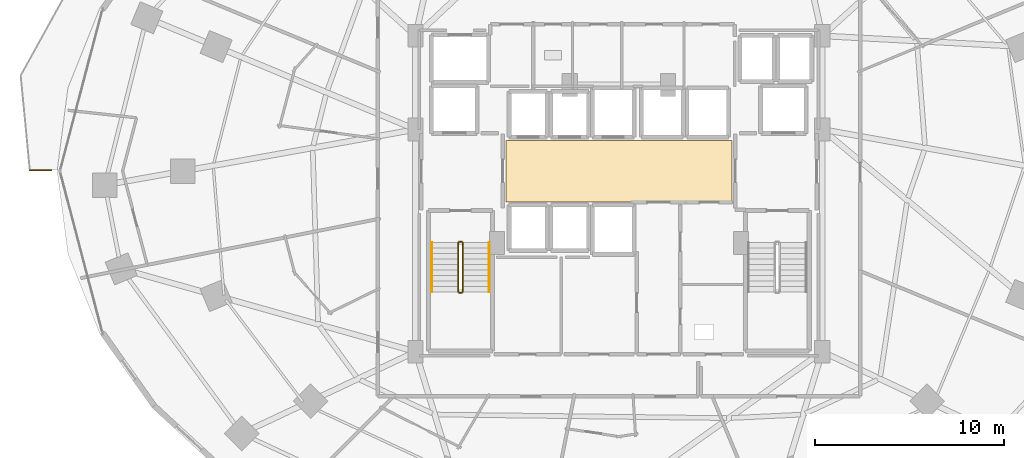
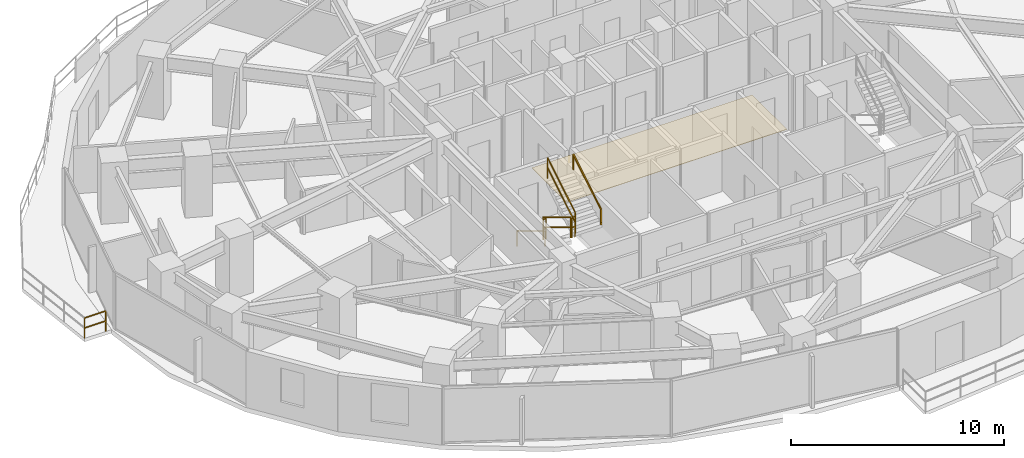
# One storey, part 32 of 35: 7 railings, 1 covering.
"""IFC4 building model written with IfcOpenShell, lengths in metres."""

import ifcopenshell
import ifcopenshell.guid

model = None  # the IFC model being written
_history = None  # IfcOwnerHistory: only IFC2X3 demands one
_inside = {}  # id of a spatial element -> (the spatial element, [elements in it])
_under = {}  # id of a project, library or spatial element -> (it, [spatial elements below it])
_declared = {}  # id of a project -> (the project, [libraries it declares])
_typed = {}  # id of a type object -> (the type object, [elements of that type])
_made_of = {}  # id of a material, layer set ... -> (it, [elements and type objects made of it])


def new_model(schema):
    """Start an empty IFC model of exactly this schema.

    Asked for "IFC4X3", IfcOpenShell would pick the latest addendum, in which some entities
    have other attributes; the version numbers below select the first issue.
    IFC2X3 requires an IfcOwnerHistory on every rooted entity: one is made here for all.
    """
    global model, _history
    if schema == "IFC4X3":
        model = ifcopenshell.file(schema_version=(4, 3, 0, 0))
    else:
        model = ifcopenshell.file(schema=schema)
    _inside.clear()
    _under.clear()
    _declared.clear()
    _typed.clear()
    _made_of.clear()
    _history = None
    if model.schema == "IFC2X3":
        org = make("IfcOrganization", Name="unknown")
        user = make(
            "IfcPersonAndOrganization",
            ThePerson=make("IfcPerson", FamilyName="unknown"),
            TheOrganization=org,
        )
        app = make(
            "IfcApplication",
            ApplicationDeveloper=org,
            Version="unknown",
            ApplicationFullName="unknown",
            ApplicationIdentifier="unknown",
        )
        _history = make(
            "IfcOwnerHistory",
            OwningUser=user,
            OwningApplication=app,
            ChangeAction="ADDED",
            CreationDate=0,
        )
    return model


def make(cls, **values):
    """One entity of the class cls with the attributes given. An attribute that is None is left unset."""
    return model.create_entity(
        cls, **{name: value for name, value in values.items() if value is not None}
    )


def rooted(cls, **values):
    """An entity with a GlobalId (a new one), such as an element, a storey or a relation."""
    return make(cls, GlobalId=ifcopenshell.guid.new(), OwnerHistory=_history, **values)


def si_unit(unit_type, name, prefix=None):
    """IfcSIUnit, for example si_unit("LENGTHUNIT", "METRE", prefix="MILLI")."""
    return make("IfcSIUnit", UnitType=unit_type, Prefix=prefix, Name=name)


def assignment(units):
    """IfcUnitAssignment: the units of a project."""
    return None if units is None else make("IfcUnitAssignment", Units=units)


def point(xyz):
    """IfcCartesianPoint."""
    return None if xyz is None else make("IfcCartesianPoint", Coordinates=xyz)


def direction(xyz):
    """IfcDirection."""
    return None if xyz is None else make("IfcDirection", DirectionRatios=xyz)


def frame(location, z_axis=None, x_axis=None):
    """IfcAxis2Placement3D, a coordinate frame: its origin and axes. An axis left out is left unset."""
    return make(
        "IfcAxis2Placement3D",
        Location=point(location),
        Axis=direction(z_axis),
        RefDirection=direction(x_axis),
    )


def frame_2d(location, x_axis=None):
    """IfcAxis2Placement2D, a coordinate frame in the plane: its origin and x axis."""
    return make(
        "IfcAxis2Placement2D", Location=point(location), RefDirection=direction(x_axis)
    )


def origin():
    """The frame at (0, 0, 0) with its axes left unset."""
    return frame((0.0, 0.0, 0.0))


def origin_2d():
    """The frame at (0, 0) in the plane with its x axis left unset."""
    return frame_2d((0.0, 0.0))


def place(relative_to, where):
    """IfcLocalPlacement: puts the frame where relative to a parent placement (None: the world)."""
    return make(
        "IfcLocalPlacement", PlacementRelTo=relative_to, RelativePlacement=where
    )


def context(
    kind, dimensions, precision=None, world=None, true_north=None, identifier=None
):
    """IfcGeometricRepresentationContext, for example the 3D "Model" context."""
    return make(
        "IfcGeometricRepresentationContext",
        ContextIdentifier=identifier,
        ContextType=kind,
        CoordinateSpaceDimension=dimensions,
        Precision=precision,
        WorldCoordinateSystem=world,
        TrueNorth=true_north,
    )


def subcontext(parent, identifier, kind, view, scale=None):
    """IfcGeometricRepresentationSubContext, for example "Body" below "Model"."""
    return make(
        "IfcGeometricRepresentationSubContext",
        ContextIdentifier=identifier,
        ContextType=kind,
        ParentContext=parent,
        TargetScale=scale,
        TargetView=view,
    )


def project(units=None, contexts=None):
    """IfcProject with its units and contexts."""
    return rooted(
        "IfcProject",
        Name="project",
        RepresentationContexts=contexts,
        UnitsInContext=assignment(units),
    )


def spatial(cls, under=None, at=None, **own):
    """A site, building, storey or space (cls), placed at a placement, below another one or the project."""
    s = rooted(cls, ObjectPlacement=at, **own)
    if under is not None:
        _under.setdefault(under.id(), (under, []))[1].append(s)
    return s


def polyline(points):
    """IfcPolyline through the points."""
    return make("IfcPolyline", Points=[point(p) for p in points])


def profile(cls, at=None, kind="AREA", **sizes):
    """A parametric profile (cls). Its sizes go by their IFC names, for example OverallWidth=200.0."""
    return make(cls, ProfileType=kind, Position=at, **sizes)


def rectangle(**sizes):
    """IfcRectangleProfileDef."""
    return profile("IfcRectangleProfileDef", **sizes)


def outline(outer, holes=None, kind="AREA"):
    """IfcArbitraryClosedProfileDef: a profile drawn as a closed curve; with holes, ...WithVoids."""
    if holes is None:
        return make("IfcArbitraryClosedProfileDef", ProfileType=kind, OuterCurve=outer)
    return make(
        "IfcArbitraryProfileDefWithVoids",
        ProfileType=kind,
        OuterCurve=outer,
        InnerCurves=holes,
    )


def extrude(swept, where, along, depth):
    """IfcExtrudedAreaSolid: the profile swept, set in the frame where, extruded along a direction by depth."""
    return make(
        "IfcExtrudedAreaSolid",
        SweptArea=swept,
        Position=where,
        ExtrudedDirection=direction(along),
        Depth=depth,
    )


def shape(context_of_items, identifier, shape_type, items):
    """IfcShapeRepresentation: the items that make up one representation, for example the "Body"."""
    return make(
        "IfcShapeRepresentation",
        ContextOfItems=context_of_items,
        RepresentationIdentifier=identifier,
        RepresentationType=shape_type,
        Items=items,
    )


def material(Name=None, Category=None):
    """IfcMaterial."""
    return make("IfcMaterial", Name=Name, Category=Category)


def layer(
    of_material, thickness, ventilated=None, Name=None, Category=None, Priority=None
):
    """IfcMaterialLayer: one layer of a wall or slab, of a material (None: an air gap)."""
    return make(
        "IfcMaterialLayer",
        Material=of_material,
        LayerThickness=thickness,
        IsVentilated=ventilated,
        Name=Name,
        Category=Category,
        Priority=Priority,
    )


def layer_set(layers, Name=None):
    """IfcMaterialLayerSet."""
    return make("IfcMaterialLayerSet", MaterialLayers=layers, LayerSetName=Name)


def made_of(thing, what):
    """Note that an element or type object is made of a material, layer set ...; save() writes the relation."""
    if what is not None:
        _made_of.setdefault(what.id(), (what, []))[1].append(thing)
    return thing


def type_object(cls, material=None, **own):
    """A type object (cls), such as IfcWallType, which elements share."""
    return made_of(rooted(cls, **own), material)


def element(
    cls,
    number,
    at=None,
    inside=None,
    cuts=None,
    type_object=None,
    material=None,
    context=None,
    identifier="Body",
    shape_type=None,
    held_by="IfcProductDefinitionShape",
    body=None,
    shapes=None,
    **own,
):
    """One element of the class cls, such as IfcWall. Its Tag is "e" and its number.

    at: its placement. inside: the storey or other place that contains it. cuts: it is an
    opening in that element (IfcRelVoidsElement). A single representation is given by context,
    identifier, shape_type and body (its items); several are given by shapes. held_by: the class
    of the entity that holds the representations. save() writes the other relations.
    """
    e = rooted(cls, Tag="e%d" % number, ObjectPlacement=at, **own)
    if body is not None:
        shapes = [shape(context, identifier, shape_type, body)]
    if shapes is not None:
        e.Representation = make(held_by, Representations=shapes)
    if inside is not None:
        _inside.setdefault(inside.id(), (inside, []))[1].append(e)
    if cuts is not None:
        rooted(
            "IfcRelVoidsElement", RelatingBuildingElement=cuts, RelatedOpeningElement=e
        )
    if type_object is not None:
        _typed.setdefault(type_object.id(), (type_object, []))[1].append(e)
    return made_of(e, material)


def aggregate(whole, parts):
    """IfcRelAggregates: a whole, such as a stair, and the parts it consists of."""
    return rooted("IfcRelAggregates", RelatingObject=whole, RelatedObjects=parts)


def save(model, path):
    """Write the relations noted so far, then the file.

    IfcRelAggregates (storeys below a building ...), IfcRelContainedInSpatialStructure (elements
    in a storey), IfcRelDefinesByType, IfcRelAssociatesMaterial and IfcRelDeclares: one each for
    every whole, place, type object, material and project.
    """
    for whole, parts in _under.values():
        aggregate(whole, parts)
    for where, things in _inside.values():
        rooted(
            "IfcRelContainedInSpatialStructure",
            RelatedElements=things,
            RelatingStructure=where,
        )
    for kind, things in _typed.values():
        rooted("IfcRelDefinesByType", RelatedObjects=things, RelatingType=kind)
    for what, things in _made_of.values():
        rooted("IfcRelAssociatesMaterial", RelatedObjects=things, RelatingMaterial=what)
    for by, libraries in _declared.values():
        rooted("IfcRelDeclares", RelatingContext=by, RelatedDefinitions=libraries)
    model.write(path)


model = new_model("IFC4")

# Units and contexts
model_context = context("Model", 3, precision=1e-05, world=origin(), true_north=direction((0.0, 1.0)))
body_context = subcontext(model_context, "Body", "Model", "MODEL_VIEW")
ifc_project = project(units=[si_unit("LENGTHUNIT", "METRE"), si_unit("AREAUNIT", "SQUARE_METRE"), si_unit("VOLUMEUNIT", "CUBIC_METRE"), si_unit("PLANEANGLEUNIT", "RADIAN"), si_unit("MASSUNIT", "GRAM", prefix="KILO")], contexts=[model_context])

# Site, building, storey
site_placement = place(None, origin())
site = spatial("IfcSite", under=ifc_project, at=site_placement, CompositionType="ELEMENT")
building_placement = place(site_placement, origin())
building = spatial("IfcBuilding", under=site, at=building_placement, Name="Vorneva Point Tower", CompositionType="ELEMENT")
storey_placement = place(building_placement, frame((0.0, 0.0, 45.0)))
storey = spatial("IfcBuildingStorey", under=building, at=storey_placement, Name="L11", CompositionType="ELEMENT", Elevation=45.0)

# Covering
ifc_material_1 = material(Name="Acoustic wool hospitality carpet", Category="textile")
ifc_layer = layer(ifc_material_1, 0.01806640625)
ifc_layer_set = layer_set([ifc_layer], Name="Acoustic wool hospitality carpet")
covering_type = type_object("IfcCoveringType", Name="COV-FLR-CRP", PredefinedType="FLOORING", material=ifc_layer_set)
covering_placement = place(storey_placement, frame((0.0, 0.0, -0.0048828125)))
element("IfcCovering", 1, at=covering_placement, inside=storey, type_object=covering_type, Name="L11 Lift Lobby Floor Finish", PredefinedType="FLOORING", context=body_context, shape_type="SweptSolid", body=[
    extrude(outline(polyline([(32.02001953125, 24.3701171875), (43.97998046875, 24.3701171875), (43.97998046875, 27.6298828125), (32.02001953125, 27.6298828125), (32.02001953125, 24.3701171875)])), origin(), (0.0, 0.0, 1.0), 0.02294921875),
])

# Railings
ifc_material_2 = material(Name="Pale anodised aluminium", Category="aluminium")
railing_type_1 = type_object("IfcRailingType", Name="RL-BAL-1200", PredefinedType="BALUSTRADE", material=ifc_material_2)
railing_1_placement = place(storey_placement, frame((6.840087890625, 26.050048828125, 0.0)))
element("IfcRailing", 2, at=railing_1_placement, inside=storey, type_object=railing_type_1, Name="L11 Wave Balcony Balustrade NW.1", PredefinedType="BALUSTRADE", context=body_context, shape_type="SweptSolid", body=[
    extrude(rectangle(XDim=0.048095703125, YDim=0.048095703125, at=origin_2d()), frame((0.0, 0.0, 1.17578125), z_axis=(1.0, 0.0, 0.0), x_axis=(0.0, 1.0, 0.0)), (0.0, 0.0, 1.0), 1.143798828125),
    extrude(rectangle(XDim=0.048095703125, YDim=0.048095703125, at=origin_2d()), frame((0.0, 0.0, 0.60009765625), z_axis=(1.0, 0.0, 0.0), x_axis=(0.0, 1.0, 0.0)), (0.0, 0.0, 1.0), 1.143798828125),
    extrude(rectangle(XDim=0.0419921875, YDim=0.0419921875, at=origin_2d()), origin(), (0.0, 0.0, 1.0), 1.15185546875),
    extrude(rectangle(XDim=0.0419921875, YDim=0.0419921875, at=origin_2d()), frame((1.143798828125, 0.0, 0.0)), (0.0, 0.0, 1.0), 1.15185546875),
])
ifc_material_3 = material(Name="Brushed stainless steel S304", Category="steel")
railing_type_2 = type_object("IfcRailingType", Name="RL-HND-920", PredefinedType="HANDRAIL", material=ifc_material_3)
railing_2_placement = place(storey_placement, frame((28.10009765625, 22.219970703125, 0.175048828125)))
element("IfcRailing", 3, at=railing_2_placement, inside=storey, type_object=railing_type_2, Name="L11 ST1 stair handrail 1", PredefinedType="HANDRAIL", context=body_context, shape_type="SweptSolid", body=[
    extrude(rectangle(XDim=0.048095703125, YDim=0.048095703125, at=origin_2d()), frame((0.0, 0.0, 0.8759765625), z_axis=(0.0, -0.85618277418, 0.516673066065), x_axis=(1.0, 0.0, 0.0)), (0.0, 0.0, 1.0), 3.04833984375),
    extrude(rectangle(XDim=0.0419921875, YDim=0.0419921875, at=origin_2d()), origin(), (0.0, 0.0, 1.0), 0.851806640625),
    extrude(rectangle(XDim=0.0419921875, YDim=0.0419921875, at=origin_2d()), frame((0.0, -2.60986328125, 1.574951171875)), (0.0, 0.0, 1.0), 0.851806640625),
])
railing_3_placement = place(storey_placement, frame((31.14990234375, 19.610107421875, 1.925048828125)))
element("IfcRailing", 4, at=railing_3_placement, inside=storey, type_object=railing_type_2, Name="L11 ST1 stair handrail 2", PredefinedType="HANDRAIL", context=body_context, shape_type="SweptSolid", body=[
    extrude(rectangle(XDim=0.048095703125, YDim=0.048095703125, at=origin_2d()), frame((0.0, 0.0, 0.8759765625), z_axis=(0.0, 0.85618277418, 0.516673066065), x_axis=(-1.0, 0.0, 0.0)), (0.0, 0.0, 1.0), 3.04833984375),
    extrude(rectangle(XDim=0.0419921875, YDim=0.0419921875, at=origin_2d()), origin(), (0.0, 0.0, 1.0), 0.851806640625),
    extrude(rectangle(XDim=0.0419921875, YDim=0.0419921875, at=origin_2d()), frame((0.0, 2.60986328125, 1.574951171875)), (0.0, 0.0, 1.0), 0.851806640625),
])
railing_type_3 = type_object("IfcRailingType", Name="RL-STG-1100", PredefinedType="GUARDRAIL", material=ifc_material_3)
railing_4_placement = place(storey_placement, frame((29.5, 22.219970703125, 0.175048828125)))
element("IfcRailing", 5, at=railing_4_placement, inside=storey, type_object=railing_type_3, Name="L11 ST1 stair guard 1", PredefinedType="GUARDRAIL", context=body_context, shape_type="SweptSolid", body=[
    extrude(rectangle(XDim=0.048095703125, YDim=0.048095703125, at=origin_2d()), frame((0.0, 0.0, 1.17578125), z_axis=(0.0, -0.85618277418, 0.516673066065), x_axis=(1.0, 0.0, 0.0)), (0.0, 0.0, 1.0), 3.04833984375),
    extrude(rectangle(XDim=0.048095703125, YDim=0.048095703125, at=origin_2d()), frame((0.0, 0.0, 0.60009765625), z_axis=(0.0, -0.85618277418, 0.516673066065), x_axis=(1.0, 0.0, 0.0)), (0.0, 0.0, 1.0), 3.04833984375),
    extrude(rectangle(XDim=0.0419921875, YDim=0.0419921875, at=origin_2d()), origin(), (0.0, 0.0, 1.0), 1.15185546875),
    extrude(rectangle(XDim=0.0419921875, YDim=0.0419921875, at=origin_2d()), frame((0.0, -2.60986328125, 1.574951171875)), (0.0, 0.0, 1.0), 1.15185546875),
])
railing_5_placement = place(storey_placement, frame((29.550048828125, 19.56005859375, 1.75)))
element("IfcRailing", 6, at=railing_5_placement, inside=storey, type_object=railing_type_3, Name="L11 ST1 stair guard 2", PredefinedType="GUARDRAIL", context=body_context, shape_type="SweptSolid", body=[
    extrude(rectangle(XDim=0.048095703125, YDim=0.048095703125, at=origin_2d()), frame((0.0, 0.0, 1.17578125), z_axis=(1.0, 0.0, 0.0), x_axis=(0.0, 1.0, 0.0)), (0.0, 0.0, 1.0), 0.14990234375),
    extrude(rectangle(XDim=0.048095703125, YDim=0.048095703125, at=origin_2d()), frame((0.0, 0.0, 0.60009765625), z_axis=(1.0, 0.0, 0.0), x_axis=(0.0, 1.0, 0.0)), (0.0, 0.0, 1.0), 0.14990234375),
    extrude(rectangle(XDim=0.0419921875, YDim=0.0419921875, at=origin_2d()), origin(), (0.0, 0.0, 1.0), 1.15185546875),
    extrude(rectangle(XDim=0.0419921875, YDim=0.0419921875, at=origin_2d()), frame((0.14990234375, 0.0, 0.0)), (0.0, 0.0, 1.0), 1.15185546875),
])
railing_6_placement = place(storey_placement, frame((29.75, 19.610107421875, 1.925048828125)))
element("IfcRailing", 7, at=railing_6_placement, inside=storey, type_object=railing_type_3, Name="L11 ST1 stair guard 3", PredefinedType="GUARDRAIL", context=body_context, shape_type="SweptSolid", body=[
    extrude(rectangle(XDim=0.048095703125, YDim=0.048095703125, at=origin_2d()), frame((0.0, 0.0, 1.17578125), z_axis=(0.0, 0.85618277418, 0.516673066065), x_axis=(-1.0, 0.0, 0.0)), (0.0, 0.0, 1.0), 3.04833984375),
    extrude(rectangle(XDim=0.048095703125, YDim=0.048095703125, at=origin_2d()), frame((0.0, 0.0, 0.60009765625), z_axis=(0.0, 0.85618277418, 0.516673066065), x_axis=(-1.0, 0.0, 0.0)), (0.0, 0.0, 1.0), 3.04833984375),
    extrude(rectangle(XDim=0.0419921875, YDim=0.0419921875, at=origin_2d()), origin(), (0.0, 0.0, 1.0), 1.15185546875),
    extrude(rectangle(XDim=0.0419921875, YDim=0.0419921875, at=origin_2d()), frame((0.0, 2.60986328125, 1.574951171875)), (0.0, 0.0, 1.0), 1.15185546875),
])
railing_7_placement = place(storey_placement, frame((29.550048828125, 22.27001953125, 0.0)))
element("IfcRailing", 8, at=railing_7_placement, inside=storey, type_object=railing_type_3, Name="L11 ST1 stair guard 4", PredefinedType="GUARDRAIL", context=body_context, shape_type="SweptSolid", body=[
    extrude(rectangle(XDim=0.048095703125, YDim=0.048095703125, at=origin_2d()), frame((0.0, 0.0, 1.17578125), z_axis=(1.0, 0.0, 0.0), x_axis=(0.0, 1.0, 0.0)), (0.0, 0.0, 1.0), 0.14990234375),
    extrude(rectangle(XDim=0.048095703125, YDim=0.048095703125, at=origin_2d()), frame((0.0, 0.0, 0.60009765625), z_axis=(1.0, 0.0, 0.0), x_axis=(0.0, 1.0, 0.0)), (0.0, 0.0, 1.0), 0.14990234375),
    extrude(rectangle(XDim=0.0419921875, YDim=0.0419921875, at=origin_2d()), origin(), (0.0, 0.0, 1.0), 1.15185546875),
    extrude(rectangle(XDim=0.0419921875, YDim=0.0419921875, at=origin_2d()), frame((0.14990234375, 0.0, 0.0)), (0.0, 0.0, 1.0), 1.15185546875),
])

save(model, "model.ifc")
